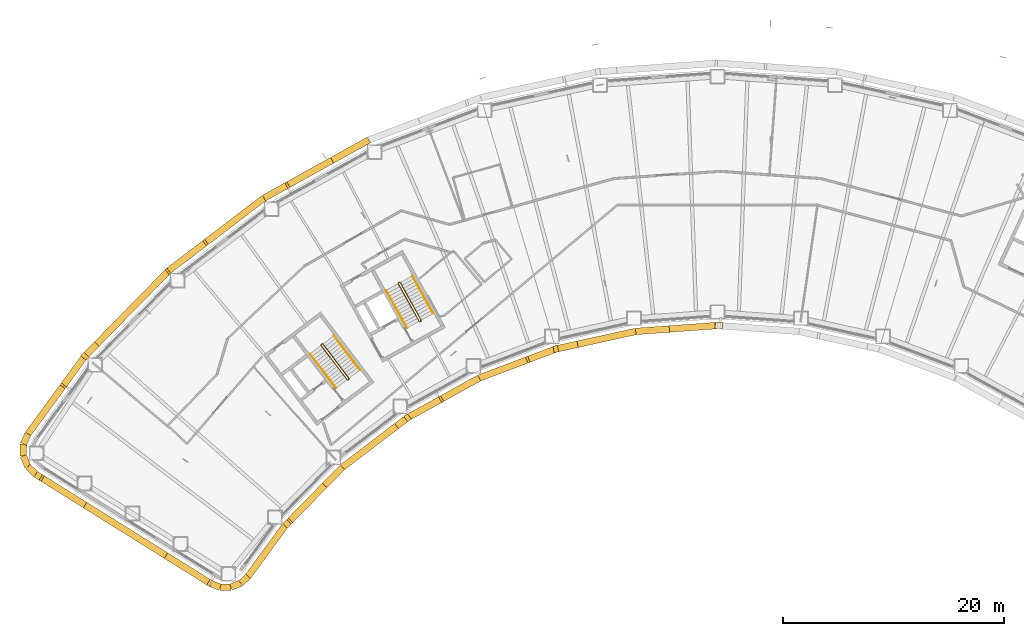
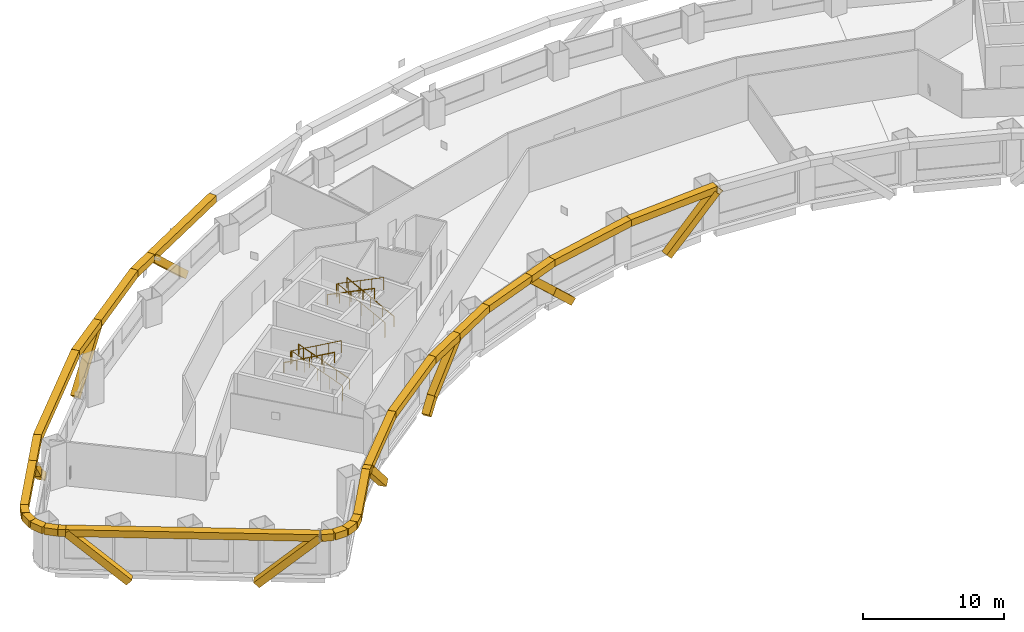
# One storey, part 16 of 19: 40 coverings, 6 railings.
"""IFC4 building model written with IfcOpenShell, lengths in metres."""

from ifc_helpers import new_model, si_unit, direction, frame, origin, origin_2d, place, context, subcontext, project, spatial, rectangle, circle, extrude, material, material_profile, profile_set, type_object, element, save


model = new_model("IFC4")

# Units and contexts
model_context = context("Model", 3, precision=1e-05, world=origin(), true_north=direction((0.0, 1.0)))
body_context = subcontext(model_context, "Body", "Model", "MODEL_VIEW")
ifc_project = project(units=[si_unit("LENGTHUNIT", "METRE"), si_unit("AREAUNIT", "SQUARE_METRE"), si_unit("VOLUMEUNIT", "CUBIC_METRE"), si_unit("PLANEANGLEUNIT", "RADIAN"), si_unit("MASSUNIT", "GRAM", prefix="KILO")], contexts=[model_context])

# Site, building, storey
site_placement = place(None, origin())
site = spatial("IfcSite", under=ifc_project, at=site_placement, CompositionType="ELEMENT")
building_placement = place(site_placement, origin())
building = spatial("IfcBuilding", under=site, at=building_placement, Name="Tuul Gate Civic Tower", CompositionType="ELEMENT")
storey_placement = place(building_placement, frame((0.0, 0.0, 56.699951171875)))
storey = spatial("IfcBuildingStorey", under=building, at=storey_placement, Name="Level 12", CompositionType="ELEMENT", Elevation=56.699951171875)

# Railings
ifc_material_1 = material(Name="Painted steel", Category="steel")
railing_type_1 = type_object("IfcRailingType", Name="Stair guard", PredefinedType="GUARDRAIL", material=ifc_material_1)
railing_1_placement = place(storey_placement, frame((-33.382080078125, -13.515380859375, 0.0)))
element("IfcRailing", 1, at=railing_1_placement, inside=storey, type_object=railing_type_1, Name="Level 12 ST-1 stair guard 1", PredefinedType="GUARDRAIL", context=body_context, shape_type="SweptSolid", body=[
    extrude(circle(Radius=0.02392578125, at=origin_2d()), frame((0.0, 0.0, 1.076171875), z_axis=(-0.795879841968, -0.605454603706, 0.0), x_axis=(0.605454603706, -0.795879841968, 0.0)), (0.0, 0.0, 1.0), 0.10009765625),
    extrude(circle(Radius=0.02392578125, at=origin_2d()), frame((-0.07958984375, -0.060546875, 1.076171875), z_axis=(0.408676696321, 0.599019267211, 0.688592241747), x_axis=(-0.826063974707, 0.563576356576, 0.0)), (0.0, 0.0, 1.0), 0.218017578125),
    extrude(circle(Radius=0.02392578125, at=origin_2d()), frame((0.009521484375, 0.070068359375, 1.22607421875), z_axis=(-0.541824460341, 0.711645023348, 0.447199748346), x_axis=(-0.795637165283, -0.60577347352, 0.0)), (0.0, 0.0, 1.0), 4.3603515625),
    extrude(circle(Radius=0.02392578125, at=origin_2d()), frame((-2.35302734375, 3.173095703125, 3.17626953125), z_axis=(-0.990893089246, 0.134650977284, 0.0), x_axis=(-0.134650977284, -0.990893089246, 0.0)), (0.0, 0.0, 1.0), 0.07080078125),
    extrude(circle(Radius=0.02392578125, at=origin_2d()), frame((-2.423095703125, 3.1826171875, 3.17626953125), z_axis=(-0.793802879778, -0.60817512943, 0.0), x_axis=(0.60817512943, -0.793802879778, 0.0)), (0.0, 0.0, 1.0), 0.099853515625),
    extrude(circle(Radius=0.02392578125, at=origin_2d()), frame((-2.50244140625, 3.121826171875, 3.17626953125), z_axis=(-0.057447065493, -0.422751481959, 0.904423031091), x_axis=(0.990893089246, -0.134650977284, 0.0)), (0.0, 0.0, 1.0), 0.165771484375),
    extrude(circle(Radius=0.02392578125, at=origin_2d()), frame((-2.511962890625, 3.0517578125, 3.326171875), z_axis=(0.541806494602, -0.71163897684, 0.447231136047), x_axis=(0.795644365679, 0.605764016233, 0.0)), (0.0, 0.0, 1.0), 4.360107421875),
    extrude(circle(Radius=0.02099609375, at=origin_2d()), origin(), (0.0, 0.0, 1.0), 1.052001953125),
    extrude(circle(Radius=0.02099609375, at=origin_2d()), frame((-0.07958984375, -0.060546875, 0.0)), (0.0, 0.0, 1.0), 1.052001953125),
    extrude(circle(Radius=0.02099609375, at=origin_2d()), frame((0.009521484375, 0.070068359375, 0.150146484375)), (0.0, 0.0, 1.0), 1.052001953125),
    extrude(circle(Radius=0.02099609375, at=origin_2d()), frame((-0.5810546875, 0.845703125, 0.6376953125)), (0.0, 0.0, 1.0), 1.052001953125),
    extrude(circle(Radius=0.02099609375, at=origin_2d()), frame((-1.171875, 1.62158203125, 1.125)), (0.0, 0.0, 1.0), 1.052001953125),
    extrude(circle(Radius=0.02099609375, at=origin_2d()), frame((-1.762451171875, 2.3974609375, 1.612548828125)), (0.0, 0.0, 1.0), 1.052001953125),
    extrude(circle(Radius=0.02099609375, at=origin_2d()), frame((-2.35302734375, 3.173095703125, 2.10009765625)), (0.0, 0.0, 1.0), 1.052001953125),
    extrude(circle(Radius=0.02099609375, at=origin_2d()), frame((-2.423095703125, 3.1826171875, 2.10009765625)), (0.0, 0.0, 1.0), 1.052001953125),
    extrude(circle(Radius=0.02099609375, at=origin_2d()), frame((-2.50244140625, 3.121826171875, 2.10009765625)), (0.0, 0.0, 1.0), 1.052001953125),
    extrude(circle(Radius=0.02099609375, at=origin_2d()), frame((-2.511962890625, 3.0517578125, 2.25)), (0.0, 0.0, 1.0), 1.052001953125),
    extrude(circle(Radius=0.02099609375, at=origin_2d()), frame((-1.92138671875, 2.276123046875, 2.737548828125)), (0.0, 0.0, 1.0), 1.052001953125),
    extrude(circle(Radius=0.02099609375, at=origin_2d()), frame((-1.330810546875, 1.50048828125, 3.22509765625)), (0.0, 0.0, 1.0), 1.052001953125),
    extrude(circle(Radius=0.02099609375, at=origin_2d()), frame((-0.740234375, 0.724609375, 3.71240234375)), (0.0, 0.0, 1.0), 1.052001953125),
    extrude(circle(Radius=0.02099609375, at=origin_2d()), frame((-0.149658203125, -0.051025390625, 4.199951171875)), (0.0, 0.0, 1.0), 1.052001953125),
])
railing_2_placement = place(storey_placement, frame((-26.857666015625, -8.247314453125, 0.0)))
element("IfcRailing", 2, at=railing_2_placement, inside=storey, type_object=railing_type_1, Name="Level 12 ST-2 stair guard 1", PredefinedType="GUARDRAIL", context=body_context, shape_type="SweptSolid", body=[
    extrude(circle(Radius=0.02392578125, at=origin_2d()), frame((0.0, 0.0, 1.076171875), z_axis=(-0.874616555828, -0.48481530532, 0.0), x_axis=(0.48481530532, -0.874616555828, 0.0)), (0.0, 0.0, 1.0), 0.10009765625),
    extrude(circle(Radius=0.02392578125, at=origin_2d()), frame((-0.087646484375, -0.048583984375, 1.076171875), z_axis=(0.490435707169, 0.534104639999, 0.688625479244), x_axis=(-0.736576986774, 0.676353711126, 0.0)), (0.0, 0.0, 1.0), 0.218017578125),
    extrude(circle(Radius=0.02392578125, at=origin_2d()), frame((0.019287109375, 0.06787109375, 1.22607421875), z_axis=(-0.43354991378, 0.782327185242, 0.447212083348), x_axis=(-0.874667644053, -0.484723129681, 0.0)), (0.0, 0.0, 1.0), 4.3603515625),
    extrude(circle(Radius=0.02392578125, at=origin_2d()), frame((-1.87109375, 3.47900390625, 3.17626953125), z_axis=(-0.961263487578, 0.275631107549, 0.0), x_axis=(-0.275631107549, -0.961263487578, 0.0)), (0.0, 0.0, 1.0), 0.07080078125),
    extrude(circle(Radius=0.02392578125, at=origin_2d()), frame((-1.939208984375, 3.49853515625, 3.17626953125), z_axis=(-0.874042088414, -0.485850211157, 0.0), x_axis=(0.485850211157, -0.874042088414, 0.0)), (0.0, 0.0, 1.0), 0.10009765625),
    extrude(circle(Radius=0.02392578125, at=origin_2d()), frame((-2.026611328125, 3.449951171875, 3.17626953125), z_axis=(-0.117866478395, -0.409586012422, 0.90462522168), x_axis=(0.961000426733, -0.276546885391, 0.0)), (0.0, 0.0, 1.0), 0.165771484375),
    extrude(circle(Radius=0.02392578125, at=origin_2d()), frame((-2.046142578125, 3.382080078125, 3.326171875), z_axis=(0.433595379963, -0.782308193291, 0.447201226726), x_axis=(0.874641102302, 0.484771020343, 0.0)), (0.0, 0.0, 1.0), 4.3603515625),
    extrude(circle(Radius=0.02099609375, at=origin_2d()), origin(), (0.0, 0.0, 1.0), 1.052001953125),
    extrude(circle(Radius=0.02099609375, at=origin_2d()), frame((-0.087646484375, -0.048583984375, 0.0)), (0.0, 0.0, 1.0), 1.052001953125),
    extrude(circle(Radius=0.02099609375, at=origin_2d()), frame((0.019287109375, 0.06787109375, 0.150146484375)), (0.0, 0.0, 1.0), 1.052001953125),
    extrude(circle(Radius=0.02099609375, at=origin_2d()), frame((-0.453369140625, 0.920654296875, 0.6376953125)), (0.0, 0.0, 1.0), 1.052001953125),
    extrude(circle(Radius=0.02099609375, at=origin_2d()), frame((-0.92578125, 1.7734375, 1.125)), (0.0, 0.0, 1.0), 1.052001953125),
    extrude(circle(Radius=0.02099609375, at=origin_2d()), frame((-1.3984375, 2.626220703125, 1.612548828125)), (0.0, 0.0, 1.0), 1.052001953125),
    extrude(circle(Radius=0.02099609375, at=origin_2d()), frame((-1.87109375, 3.47900390625, 2.10009765625)), (0.0, 0.0, 1.0), 1.052001953125),
    extrude(circle(Radius=0.02099609375, at=origin_2d()), frame((-1.939208984375, 3.49853515625, 2.10009765625)), (0.0, 0.0, 1.0), 1.052001953125),
    extrude(circle(Radius=0.02099609375, at=origin_2d()), frame((-2.026611328125, 3.449951171875, 2.10009765625)), (0.0, 0.0, 1.0), 1.052001953125),
    extrude(circle(Radius=0.02099609375, at=origin_2d()), frame((-2.046142578125, 3.382080078125, 2.25)), (0.0, 0.0, 1.0), 1.052001953125),
    extrude(circle(Radius=0.02099609375, at=origin_2d()), frame((-1.573486328125, 2.529296875, 2.737548828125)), (0.0, 0.0, 1.0), 1.052001953125),
    extrude(circle(Radius=0.02099609375, at=origin_2d()), frame((-1.100830078125, 1.676513671875, 3.22509765625)), (0.0, 0.0, 1.0), 1.052001953125),
    extrude(circle(Radius=0.02099609375, at=origin_2d()), frame((-0.628173828125, 0.82373046875, 3.71240234375)), (0.0, 0.0, 1.0), 1.052001953125),
    extrude(circle(Radius=0.02099609375, at=origin_2d()), frame((-0.155517578125, -0.029052734375, 4.199951171875)), (0.0, 0.0, 1.0), 1.052001953125),
])
ifc_material_2 = material(Name="Painted steel", Category="steel")
railing_type_2 = type_object("IfcRailingType", Name="Stair handrail", PredefinedType="HANDRAIL", material=ifc_material_2)
railing_3_placement = place(storey_placement, frame((-32.3779296875, -12.688232421875, 0.150146484375)))
element("IfcRailing", 3, at=railing_3_placement, inside=storey, type_object=railing_type_2, Name="Level 12 ST-1 stair handrail 1", PredefinedType="HANDRAIL", context=body_context, shape_type="SweptSolid", body=[
    extrude(circle(Radius=0.02392578125, at=origin_2d()), frame((0.0, 0.0, 0.8759765625), z_axis=(-0.541824460341, 0.711645023348, 0.447199748346), x_axis=(-0.795637165283, -0.60577347352, 0.0)), (0.0, 0.0, 1.0), 4.3603515625),
    extrude(circle(Radius=0.02099609375, at=origin_2d()), origin(), (0.0, 0.0, 1.0), 0.851806640625),
    extrude(circle(Radius=0.02099609375, at=origin_2d()), frame((-0.590576171875, 0.77587890625, 0.487548828125)), (0.0, 0.0, 1.0), 0.851806640625),
    extrude(circle(Radius=0.02099609375, at=origin_2d()), frame((-1.18115234375, 1.551513671875, 0.97509765625)), (0.0, 0.0, 1.0), 0.851806640625),
    extrude(circle(Radius=0.02099609375, at=origin_2d()), frame((-1.77197265625, 2.3271484375, 1.46240234375)), (0.0, 0.0, 1.0), 0.851806640625),
    extrude(circle(Radius=0.02099609375, at=origin_2d()), frame((-2.362548828125, 3.10302734375, 1.949951171875)), (0.0, 0.0, 1.0), 0.851806640625),
])
railing_4_placement = place(storey_placement, frame((-36.888671875, -11.220703125, 2.25)))
element("IfcRailing", 4, at=railing_4_placement, inside=storey, type_object=railing_type_2, Name="Level 12 ST-1 stair handrail 2", PredefinedType="HANDRAIL", context=body_context, shape_type="SweptSolid", body=[
    extrude(circle(Radius=0.02392578125, at=origin_2d()), frame((0.0, 0.0, 0.8759765625), z_axis=(0.541824460341, -0.711645023348, 0.447199748346), x_axis=(0.795637165283, 0.60577347352, 0.0)), (0.0, 0.0, 1.0), 4.3603515625),
    extrude(circle(Radius=0.02099609375, at=origin_2d()), origin(), (0.0, 0.0, 1.0), 0.851806640625),
    extrude(circle(Radius=0.02099609375, at=origin_2d()), frame((0.590576171875, -0.77587890625, 0.487548828125)), (0.0, 0.0, 1.0), 0.851806640625),
    extrude(circle(Radius=0.02099609375, at=origin_2d()), frame((1.18115234375, -1.551513671875, 0.97509765625)), (0.0, 0.0, 1.0), 0.851806640625),
    extrude(circle(Radius=0.02099609375, at=origin_2d()), frame((1.77197265625, -2.3271484375, 1.46240234375)), (0.0, 0.0, 1.0), 0.851806640625),
    extrude(circle(Radius=0.02099609375, at=origin_2d()), frame((2.362548828125, -3.10302734375, 1.949951171875)), (0.0, 0.0, 1.0), 0.851806640625),
])
railing_5_placement = place(storey_placement, frame((-25.744873046875, -7.573486328125, 0.150146484375)))
element("IfcRailing", 5, at=railing_5_placement, inside=storey, type_object=railing_type_2, Name="Level 12 ST-2 stair handrail 1", PredefinedType="HANDRAIL", context=body_context, shape_type="SweptSolid", body=[
    extrude(circle(Radius=0.02392578125, at=origin_2d()), frame((0.0, 0.0, 0.8759765625), z_axis=(-0.433595379963, 0.782308193291, 0.447201226726), x_axis=(-0.874641102302, -0.484771020343, 0.0)), (0.0, 0.0, 1.0), 4.3603515625),
    extrude(circle(Radius=0.02099609375, at=origin_2d()), origin(), (0.0, 0.0, 1.0), 0.851806640625),
    extrude(circle(Radius=0.02099609375, at=origin_2d()), frame((-0.47265625, 0.852783203125, 0.487548828125)), (0.0, 0.0, 1.0), 0.851806640625),
    extrude(circle(Radius=0.02099609375, at=origin_2d()), frame((-0.9453125, 1.70556640625, 0.97509765625)), (0.0, 0.0, 1.0), 0.851806640625),
    extrude(circle(Radius=0.02099609375, at=origin_2d()), frame((-1.41796875, 2.558349609375, 1.46240234375)), (0.0, 0.0, 1.0), 0.851806640625),
    extrude(circle(Radius=0.02099609375, at=origin_2d()), frame((-1.890625, 3.4111328125, 1.949951171875)), (0.0, 0.0, 1.0), 0.851806640625),
])
railing_6_placement = place(storey_placement, frame((-29.9970703125, -5.47119140625, 2.25)))
element("IfcRailing", 6, at=railing_6_placement, inside=storey, type_object=railing_type_2, Name="Level 12 ST-2 stair handrail 2", PredefinedType="HANDRAIL", context=body_context, shape_type="SweptSolid", body=[
    extrude(circle(Radius=0.02392578125, at=origin_2d()), frame((0.0, 0.0, 0.8759765625), z_axis=(0.433595379963, -0.782308193291, 0.447201226726), x_axis=(0.874641102302, 0.484771020343, 0.0)), (0.0, 0.0, 1.0), 4.3603515625),
    extrude(circle(Radius=0.02099609375, at=origin_2d()), origin(), (0.0, 0.0, 1.0), 0.851806640625),
    extrude(circle(Radius=0.02099609375, at=origin_2d()), frame((0.47265625, -0.852783203125, 0.487548828125)), (0.0, 0.0, 1.0), 0.851806640625),
    extrude(circle(Radius=0.02099609375, at=origin_2d()), frame((0.9453125, -1.70556640625, 0.97509765625)), (0.0, 0.0, 1.0), 0.851806640625),
    extrude(circle(Radius=0.02099609375, at=origin_2d()), frame((1.41796875, -2.558349609375, 1.46240234375)), (0.0, 0.0, 1.0), 0.851806640625),
    extrude(circle(Radius=0.02099609375, at=origin_2d()), frame((1.890625, -3.4111328125, 1.949951171875)), (0.0, 0.0, 1.0), 0.851806640625),
])

# Coverings
ifc_material_3 = material(Name="Terracotta baguette", Category="masonry")
ifc_material_profile = material_profile(ifc_material_3, rectangle(XDim=0.60009765625, YDim=0.60009765625, at=origin_2d()), Name="Terracotta baguette screen frame")
ifc_profile_set = profile_set([ifc_material_profile], Name="Terracotta baguette")
covering_type = type_object("IfcCoveringType", Name="Terracotta baguette screen frame", PredefinedType="CLADDING", material=ifc_profile_set)
covering_1_placement = place(storey_placement, frame((-35.072998046875, 6.2021484375, -0.349853515625), z_axis=(-0.641770455951, -0.355718553646, 0.679407824845), x_axis=(0.484788124357, -0.87463162216, 0.0)))
element("IfcCovering", 7, at=covering_1_placement, inside=storey, type_object=covering_type, Name="Baguette 104", PredefinedType="CLADDING", context=body_context, shape_type="SweptSolid", body=[
    extrude(rectangle(XDim=0.60009765625, YDim=0.60009765625, at=origin_2d()), origin(), (0.0, 0.0, 1.0), 6.181884765625),
])
covering_2_placement = place(storey_placement, frame((-39.040283203125, 4.003173828125, 3.85009765625), z_axis=(-0.874610686965, -0.484825892714, 0.0), x_axis=(0.484825892714, -0.874610686965, 0.0)))
element("IfcCovering", 8, at=covering_2_placement, inside=storey, type_object=covering_type, Name="Baguette 109", PredefinedType="CLADDING", context=body_context, shape_type="SweptSolid", body=[
    extrude(rectangle(XDim=0.60009765625, YDim=0.60009765625, at=origin_2d()), origin(), (0.0, 0.0, 1.0), 2.309326171875),
])
covering_3_placement = place(storey_placement, frame((-41.06005859375, 2.883544921875, 3.85009765625), z_axis=(-0.795625580524, -0.605788688914, 0.0), x_axis=(0.605788688914, -0.795625580524, 0.0)))
element("IfcCovering", 9, at=covering_3_placement, inside=storey, type_object=covering_type, Name="Baguette 110", PredefinedType="CLADDING", context=body_context, shape_type="SweptSolid", body=[
    extrude(rectangle(XDim=0.60009765625, YDim=0.60009765625, at=origin_2d()), origin(), (0.0, 0.0, 1.0), 6.763427734375),
])
covering_4_placement = place(storey_placement, frame((-46.441162109375, -1.213623046875, 3.85009765625), z_axis=(-0.583787253366, -0.44452318707, -0.67940531273), x_axis=(0.605812872991, -0.795607166206, 0.0)))
element("IfcCovering", 10, at=covering_4_placement, inside=storey, type_object=covering_type, Name="Baguette 113", PredefinedType="CLADDING", context=body_context, shape_type="SweptSolid", body=[
    extrude(rectangle(XDim=0.60009765625, YDim=0.60009765625, at=origin_2d()), origin(), (0.0, 0.0, 1.0), 5.5712890625),
])
covering_5_placement = place(storey_placement, frame((-56.35791015625, -10.4892578125, -0.349853515625), z_axis=(-0.513665125762, -0.524029961895, 0.679367895629), x_axis=(0.714133971277, -0.700009050705, 0.0)))
element("IfcCovering", 11, at=covering_5_placement, inside=storey, type_object=covering_type, Name="Baguette 127", PredefinedType="CLADDING", context=body_context, shape_type="SweptSolid", body=[
    extrude(rectangle(XDim=0.60009765625, YDim=0.60009765625, at=origin_2d()), origin(), (0.0, 0.0, 1.0), 1.813720703125),
])
covering_6_placement = place(storey_placement, frame((-57.28955078125, -11.439697265625, 0.88232421875), z_axis=(-0.433786841249, -0.593969724681, 0.677516747041), x_axis=(0.807564638355, -0.58977907294, 0.0)))
element("IfcCovering", 12, at=covering_6_placement, inside=storey, type_object=covering_type, Name="Baguette 128", PredefinedType="CLADDING", context=body_context, shape_type="SweptSolid", body=[
    extrude(rectangle(XDim=0.60009765625, YDim=0.60009765625, at=origin_2d()), origin(), (0.0, 0.0, 1.0), 4.38037109375),
])
covering_7_placement = place(storey_placement, frame((-59.189697265625, -14.04150390625, 3.85009765625), z_axis=(-0.589840017423, -0.80752012597, 0.0), x_axis=(0.80752012597, -0.589840017423, 0.0)))
element("IfcCovering", 13, at=covering_7_placement, inside=storey, type_object=covering_type, Name="Baguette 141", PredefinedType="CLADDING", context=body_context, shape_type="SweptSolid", body=[
    extrude(rectangle(XDim=0.60009765625, YDim=0.60009765625, at=origin_2d()), origin(), (0.0, 0.0, 1.0), 5.512451171875),
])
covering_8_placement = place(storey_placement, frame((-62.441162109375, -18.492919921875, 3.85009765625), z_axis=(-0.412928742672, -0.910763335601, 0.0), x_axis=(0.910763335601, -0.412928742672, 0.0)))
element("IfcCovering", 14, at=covering_8_placement, inside=storey, type_object=covering_type, Name="Baguette 142", PredefinedType="CLADDING", context=body_context, shape_type="SweptSolid", body=[
    extrude(rectangle(XDim=0.60009765625, YDim=0.60009765625, at=origin_2d()), origin(), (0.0, 0.0, 1.0), 0.9892578125),
])
covering_9_placement = place(storey_placement, frame((-62.849609375, -19.393798828125, 3.85009765625), z_axis=(-0.014650442147, -0.999892676513, 0.0), x_axis=(0.999892676513, -0.014650442147, 0.0)))
element("IfcCovering", 15, at=covering_9_placement, inside=storey, type_object=covering_type, Name="Baguette 143", PredefinedType="CLADDING", context=body_context, shape_type="SweptSolid", body=[
    extrude(rectangle(XDim=0.60009765625, YDim=0.60009765625, at=origin_2d()), origin(), (0.0, 0.0, 1.0), 1.06640625),
])
covering_10_placement = place(storey_placement, frame((-62.865234375, -20.460205078125, 3.85009765625), z_axis=(0.385784883999, -0.922588761734, 0.0), x_axis=(0.922588761734, 0.385784883999, 0.0)))
element("IfcCovering", 16, at=covering_10_placement, inside=storey, type_object=covering_type, Name="Baguette 144", PredefinedType="CLADDING", context=body_context, shape_type="SweptSolid", body=[
    extrude(rectangle(XDim=0.60009765625, YDim=0.60009765625, at=origin_2d()), origin(), (0.0, 0.0, 1.0), 1.06689453125),
])
covering_11_placement = place(storey_placement, frame((-62.45361328125, -21.444580078125, 3.85009765625), z_axis=(0.722137314744, -0.691749737011, 0.0), x_axis=(0.691749737011, 0.722137314744, 0.0)))
element("IfcCovering", 17, at=covering_11_placement, inside=storey, type_object=covering_type, Name="Baguette 145", PredefinedType="CLADDING", context=body_context, shape_type="SweptSolid", body=[
    extrude(rectangle(XDim=0.60009765625, YDim=0.60009765625, at=origin_2d()), origin(), (0.0, 0.0, 1.0), 0.98828125),
])
covering_12_placement = place(storey_placement, frame((-61.739990234375, -22.128173828125, 3.85009765625), z_axis=(0.848100314171, -0.529835688778, 0.0), x_axis=(0.529835688778, 0.848100314171, 0.0)))
element("IfcCovering", 18, at=covering_12_placement, inside=storey, type_object=covering_type, Name="Baguette 146", PredefinedType="CLADDING", context=body_context, shape_type="SweptSolid", body=[
    extrude(rectangle(XDim=0.60009765625, YDim=0.60009765625, at=origin_2d()), origin(), (0.0, 0.0, 1.0), 0.537841796875),
])
for number, where, z_axis, x_axis, name in (
    (19, (-61.283935546875, -22.4130859375, 3.85009765625), (0.62165839142, -0.388462360599, -0.68017485897), (0.529926214669, 0.848043753002, 0.0), "Baguette 148"),
    (20, (-49.767578125, -29.609130859375, -0.349853515625), (0.62165839142, -0.388462360599, 0.68017485897), (0.529926214669, 0.848043753002, 0.0), "Baguette 156"),
):
    element("IfcCovering", number, at=place(storey_placement, frame(where, z_axis=z_axis, x_axis=x_axis)), inside=storey, type_object=covering_type, Name=name, PredefinedType="CLADDING", context=body_context, shape_type="SweptSolid", body=[
        extrude(rectangle(XDim=0.60009765625, YDim=0.60009765625, at=origin_2d()), origin(), (0.0, 0.0, 1.0), 6.1748046875),
    ])
covering_13_placement = place(storey_placement, frame((-45.884765625, -32.035400390625, 3.85009765625), z_axis=(0.93189278144, -0.362733847194, 0.0), x_axis=(0.362733847194, 0.93189278144, 0.0)))
element("IfcCovering", 21, at=covering_13_placement, inside=storey, type_object=covering_type, Name="Baguette 172", PredefinedType="CLADDING", context=body_context, shape_type="SweptSolid", body=[
    extrude(rectangle(XDim=0.60009765625, YDim=0.60009765625, at=origin_2d()), origin(), (0.0, 0.0, 1.0), 0.901123046875),
])
covering_14_placement = place(storey_placement, frame((-45.044921875, -32.3623046875, 3.85009765625), z_axis=(0.999996192163, 0.002759648297, 0.0), x_axis=(-0.002759648297, 0.999996192163, 0.0)))
element("IfcCovering", 22, at=covering_14_placement, inside=storey, type_object=covering_type, Name="Baguette 173", PredefinedType="CLADDING", context=body_context, shape_type="SweptSolid", body=[
    extrude(rectangle(XDim=0.60009765625, YDim=0.60009765625, at=origin_2d()), origin(), (0.0, 0.0, 1.0), 0.97314453125),
])
covering_15_placement = place(storey_placement, frame((-44.07177734375, -32.359619140625, 3.85009765625), z_axis=(0.929647485715, 0.36845020329, 0.0), x_axis=(-0.36845020329, 0.929647485715, 0.0)))
element("IfcCovering", 23, at=covering_15_placement, inside=storey, type_object=covering_type, Name="Baguette 174", PredefinedType="CLADDING", context=body_context, shape_type="SweptSolid", body=[
    extrude(rectangle(XDim=0.60009765625, YDim=0.60009765625, at=origin_2d()), origin(), (0.0, 0.0, 1.0), 0.97412109375),
])
covering_16_placement = place(storey_placement, frame((-43.166259765625, -32.000732421875, 3.85009765625), z_axis=(0.730001285686, 0.683445771731, 0.0), x_axis=(-0.683445771731, 0.730001285686, 0.0)))
element("IfcCovering", 24, at=covering_16_placement, inside=storey, type_object=covering_type, Name="Baguette 175", PredefinedType="CLADDING", context=body_context, shape_type="SweptSolid", body=[
    extrude(rectangle(XDim=0.60009765625, YDim=0.60009765625, at=origin_2d()), origin(), (0.0, 0.0, 1.0), 0.902099609375),
])
covering_17_placement = place(storey_placement, frame((-42.5078125, -31.38427734375, 3.85009765625), z_axis=(0.589729447422, 0.807600878432, 0.0), x_axis=(-0.807600878432, 0.589729447422, 0.0)))
element("IfcCovering", 25, at=covering_17_placement, inside=storey, type_object=covering_type, Name="Baguette 176", PredefinedType="CLADDING", context=body_context, shape_type="SweptSolid", body=[
    extrude(rectangle(XDim=0.60009765625, YDim=0.60009765625, at=origin_2d()), origin(), (0.0, 0.0, 1.0), 5.671142578125),
])
covering_18_placement = place(storey_placement, frame((-39.163330078125, -26.80419921875, 3.85009765625), z_axis=(0.700143080351, 0.714002567948, 0.0), x_axis=(-0.714002567948, 0.700143080351, 0.0)))
element("IfcCovering", 26, at=covering_18_placement, inside=storey, type_object=covering_type, Name="Baguette 177", PredefinedType="CLADDING", context=body_context, shape_type="SweptSolid", body=[
    extrude(rectangle(XDim=0.60009765625, YDim=0.60009765625, at=origin_2d()), origin(), (0.0, 0.0, 1.0), 0.5107421875),
])
covering_19_placement = place(storey_placement, frame((-38.8056640625, -26.439453125, 3.85009765625), z_axis=(0.507771361128, 0.518014818058, -0.688352303033), x_axis=(-0.714132313758, 0.700010741665, 0.0)))
element("IfcCovering", 27, at=covering_19_placement, inside=storey, type_object=covering_type, Name="Baguette 179", PredefinedType="CLADDING", context=body_context, shape_type="SweptSolid", body=[
    extrude(rectangle(XDim=0.60009765625, YDim=0.60009765625, at=origin_2d()), origin(), (0.0, 0.0, 1.0), 6.1015625),
])
covering_20_placement = place(storey_placement, frame((-28.902099609375, -17.647216796875, -0.349853515625), z_axis=(0.577163973783, 0.43951045059, 0.688267615967), x_axis=(-0.605839521282, 0.795586874234, 0.0)))
element("IfcCovering", 28, at=covering_20_placement, inside=storey, type_object=covering_type, Name="Baguette 192", PredefinedType="CLADDING", context=body_context, shape_type="SweptSolid", body=[
    extrude(rectangle(XDim=0.60009765625, YDim=0.60009765625, at=origin_2d()), origin(), (0.0, 0.0, 1.0), 1.443603515625),
])
covering_21_placement = place(storey_placement, frame((-28.06884765625, -17.0126953125, 0.643798828125), z_axis=(0.634416227277, 0.351696371863, 0.688349992798), x_axis=(-0.484845174212, 0.87459999831, 0.0)))
element("IfcCovering", 29, at=covering_21_placement, inside=storey, type_object=covering_type, Name="Baguette 193", PredefinedType="CLADDING", context=body_context, shape_type="SweptSolid", body=[
    extrude(rectangle(XDim=0.60009765625, YDim=0.60009765625, at=origin_2d()), origin(), (0.0, 0.0, 1.0), 4.657958984375),
])
covering_22_placement = place(storey_placement, frame((-25.11376953125, -15.37451171875, 3.85009765625), z_axis=(0.874630119213, 0.484790835893, 0.0), x_axis=(-0.484790835893, 0.874630119213, 0.0)))
element("IfcCovering", 30, at=covering_22_placement, inside=storey, type_object=covering_type, Name="Baguette 198", PredefinedType="CLADDING", context=body_context, shape_type="SweptSolid", body=[
    extrude(rectangle(XDim=0.60009765625, YDim=0.60009765625, at=origin_2d()), origin(), (0.0, 0.0, 1.0), 4.039306640625),
])
covering_23_placement = place(storey_placement, frame((-21.580810546875, -13.416259765625, 3.85009765625), z_axis=(0.935362476844, 0.353690594889, 0.0), x_axis=(-0.353690594889, 0.935362476844, 0.0)))
element("IfcCovering", 31, at=covering_23_placement, inside=storey, type_object=covering_type, Name="Baguette 199", PredefinedType="CLADDING", context=body_context, shape_type="SweptSolid", body=[
    extrude(rectangle(XDim=0.60009765625, YDim=0.60009765625, at=origin_2d()), origin(), (0.0, 0.0, 1.0), 4.8125),
])
covering_24_placement = place(storey_placement, frame((-17.079345703125, -11.714111328125, 3.85009765625), z_axis=(0.678494164427, 0.25655114483, -0.688351057909), x_axis=(-0.353679388764, 0.935366714163, 0.0)))
element("IfcCovering", 32, at=covering_24_placement, inside=storey, type_object=covering_type, Name="Baguette 202", PredefinedType="CLADDING", context=body_context, shape_type="SweptSolid", body=[
    extrude(rectangle(XDim=0.60009765625, YDim=0.60009765625, at=origin_2d()), origin(), (0.0, 0.0, 1.0), 3.591552734375),
])
covering_25_placement = place(storey_placement, frame((-14.642578125, -10.792724609375, 1.3779296875), z_axis=(0.708383797534, 0.156110942612, -0.688347128264), x_axis=(-0.215212210255, 0.976567306721, 0.0)))
element("IfcCovering", 33, at=covering_25_placement, inside=storey, type_object=covering_type, Name="Baguette 203", PredefinedType="CLADDING", context=body_context, shape_type="SweptSolid", body=[
    extrude(rectangle(XDim=0.60009765625, YDim=0.60009765625, at=origin_2d()), origin(), (0.0, 0.0, 1.0), 2.510009765625),
])
covering_26_placement = place(storey_placement, frame((-4.152099609375, -8.961181640625, -0.349853515625), z_axis=(0.723488806877, 0.052324997499, 0.688350231321), x_axis=(-0.07213475166, 0.997394895517, 0.0)))
element("IfcCovering", 34, at=covering_26_placement, inside=storey, type_object=covering_type, Name="Baguette 218", PredefinedType="CLADDING", context=body_context, shape_type="SweptSolid", body=[
    extrude(rectangle(XDim=0.60009765625, YDim=0.60009765625, at=origin_2d()), origin(), (0.0, 0.0, 1.0), 5.739013671875),
])
covering_27_placement = place(storey_placement, frame((0.0, -8.660888671875, 3.6005859375), z_axis=(0.723426063236, -0.052539323028, 0.688399847884), x_axis=(0.072434920849, 0.997373140926, 0.0)))
element("IfcCovering", 35, at=covering_27_placement, inside=storey, type_object=covering_type, Name="Baguette 219", PredefinedType="CLADDING", context=body_context, shape_type="SweptSolid", body=[
    extrude(rectangle(XDim=0.60009765625, YDim=0.60009765625, at=origin_2d()), origin(), (0.0, 0.0, 1.0), 0.362548828125),
])
covering_28_placement = place(storey_placement, frame((-31.569091796875, 8.144287109375, 3.85009765625), z_axis=(-0.874631408873, -0.48478850916, 0.0), x_axis=(0.48478850916, -0.874631408873, 0.0)))
element("IfcCovering", 36, at=covering_28_placement, inside=storey, type_object=covering_type, Name="Baguette 428", PredefinedType="CLADDING", context=body_context, shape_type="SweptSolid", body=[
    extrude(rectangle(XDim=0.60009765625, YDim=0.60009765625, at=origin_2d()), origin(), (0.0, 0.0, 1.0), 8.5419921875),
])
covering_29_placement = place(storey_placement, frame((-46.441162109375, -1.213623046875, 3.85009765625), z_axis=(-0.795607166206, -0.605812872991, 0.0), x_axis=(0.605812872991, -0.795607166206, 0.0)))
element("IfcCovering", 37, at=covering_29_placement, inside=storey, type_object=covering_type, Name="Baguette 429", PredefinedType="CLADDING", context=body_context, shape_type="SweptSolid", body=[
    extrude(rectangle(XDim=0.60009765625, YDim=0.60009765625, at=origin_2d()), origin(), (0.0, 0.0, 1.0), 4.087890625),
])
covering_30_placement = place(storey_placement, frame((-49.693603515625, -3.690185546875, 3.85009765625), z_axis=(-0.699995601925, -0.714147153804, 0.0), x_axis=(0.714147153804, -0.699995601925, 0.0)))
element("IfcCovering", 38, at=covering_30_placement, inside=storey, type_object=covering_type, Name="Baguette 430", PredefinedType="CLADDING", context=body_context, shape_type="SweptSolid", body=[
    extrude(rectangle(XDim=0.60009765625, YDim=0.60009765625, at=origin_2d()), origin(), (0.0, 0.0, 1.0), 10.851318359375),
])
covering_31_placement = place(storey_placement, frame((-57.28955078125, -11.439697265625, 3.85009765625), z_axis=(-0.58977907294, -0.807564638355, 0.0), x_axis=(0.807564638355, -0.58977907294, 0.0)))
element("IfcCovering", 39, at=covering_31_placement, inside=storey, type_object=covering_type, Name="Baguette 431", PredefinedType="CLADDING", context=body_context, shape_type="SweptSolid", body=[
    extrude(rectangle(XDim=0.60009765625, YDim=0.60009765625, at=origin_2d()), origin(), (0.0, 0.0, 1.0), 3.2216796875),
])
covering_32_placement = place(storey_placement, frame((-61.283935546875, -22.4130859375, 3.85009765625), z_axis=(0.848051326016, -0.529914095342, 0.0), x_axis=(0.529914095342, 0.848051326016, 0.0)))
element("IfcCovering", 40, at=covering_32_placement, inside=storey, type_object=covering_type, Name="Baguette 432", PredefinedType="CLADDING", context=body_context, shape_type="SweptSolid", body=[
    extrude(rectangle(XDim=0.60009765625, YDim=0.60009765625, at=origin_2d()), origin(), (0.0, 0.0, 1.0), 18.106201171875),
])
covering_33_placement = place(storey_placement, frame((-38.8056640625, -26.439453125, 3.85009765625), z_axis=(0.70002016801, 0.714123073692, 0.0), x_axis=(-0.714123073692, 0.70002016801, 0.0)))
element("IfcCovering", 41, at=covering_33_placement, inside=storey, type_object=covering_type, Name="Baguette 433", PredefinedType="CLADDING", context=body_context, shape_type="SweptSolid", body=[
    extrude(rectangle(XDim=0.60009765625, YDim=0.60009765625, at=origin_2d()), origin(), (0.0, 0.0, 1.0), 6.9072265625),
])
covering_34_placement = place(storey_placement, frame((-33.970458984375, -21.5068359375, 3.85009765625), z_axis=(0.795582797942, 0.60584487422, 0.0), x_axis=(-0.60584487422, 0.795582797942, 0.0)))
element("IfcCovering", 42, at=covering_34_placement, inside=storey, type_object=covering_type, Name="Baguette 434", PredefinedType="CLADDING", context=body_context, shape_type="SweptSolid", body=[
    extrude(rectangle(XDim=0.60009765625, YDim=0.60009765625, at=origin_2d()), origin(), (0.0, 0.0, 1.0), 7.41796875),
])
covering_35_placement = place(storey_placement, frame((-28.06884765625, -17.0126953125, 3.85009765625), z_axis=(0.87459999831, 0.484845174212, 0.0), x_axis=(-0.484845174212, 0.87459999831, 0.0)))
element("IfcCovering", 43, at=covering_35_placement, inside=storey, type_object=covering_type, Name="Baguette 435", PredefinedType="CLADDING", context=body_context, shape_type="SweptSolid", body=[
    extrude(rectangle(XDim=0.60009765625, YDim=0.60009765625, at=origin_2d()), origin(), (0.0, 0.0, 1.0), 3.378662109375),
])
covering_36_placement = place(storey_placement, frame((-17.079345703125, -11.714111328125, 3.85009765625), z_axis=(0.935366714163, 0.353679388764, 0.0), x_axis=(-0.353679388764, 0.935366714163, 0.0)))
element("IfcCovering", 44, at=covering_36_placement, inside=storey, type_object=covering_type, Name="Baguette 436", PredefinedType="CLADDING", context=body_context, shape_type="SweptSolid", body=[
    extrude(rectangle(XDim=0.60009765625, YDim=0.60009765625, at=origin_2d()), origin(), (0.0, 0.0, 1.0), 2.605224609375),
])
covering_37_placement = place(storey_placement, frame((-14.642578125, -10.792724609375, 3.85009765625), z_axis=(0.976558886135, 0.215250416748, 0.0), x_axis=(-0.215250416748, 0.976558886135, 0.0)))
element("IfcCovering", 45, at=covering_37_placement, inside=storey, type_object=covering_type, Name="Baguette 437", PredefinedType="CLADDING", context=body_context, shape_type="SweptSolid", body=[
    extrude(rectangle(XDim=0.60009765625, YDim=0.60009765625, at=origin_2d()), origin(), (0.0, 0.0, 1.0), 7.417724609375),
])
covering_38_placement = place(storey_placement, frame((-7.398681640625, -9.196044921875, 3.85009765625), z_axis=(0.997394311548, 0.072142825637, 0.0), x_axis=(-0.072142825637, 0.997394311548, 0.0)))
element("IfcCovering", 46, at=covering_38_placement, inside=storey, type_object=covering_type, Name="Baguette 438", PredefinedType="CLADDING", context=body_context, shape_type="SweptSolid", body=[
    extrude(rectangle(XDim=0.60009765625, YDim=0.60009765625, at=origin_2d()), origin(), (0.0, 0.0, 1.0), 7.41796875),
])

save(model, "model.ifc")
